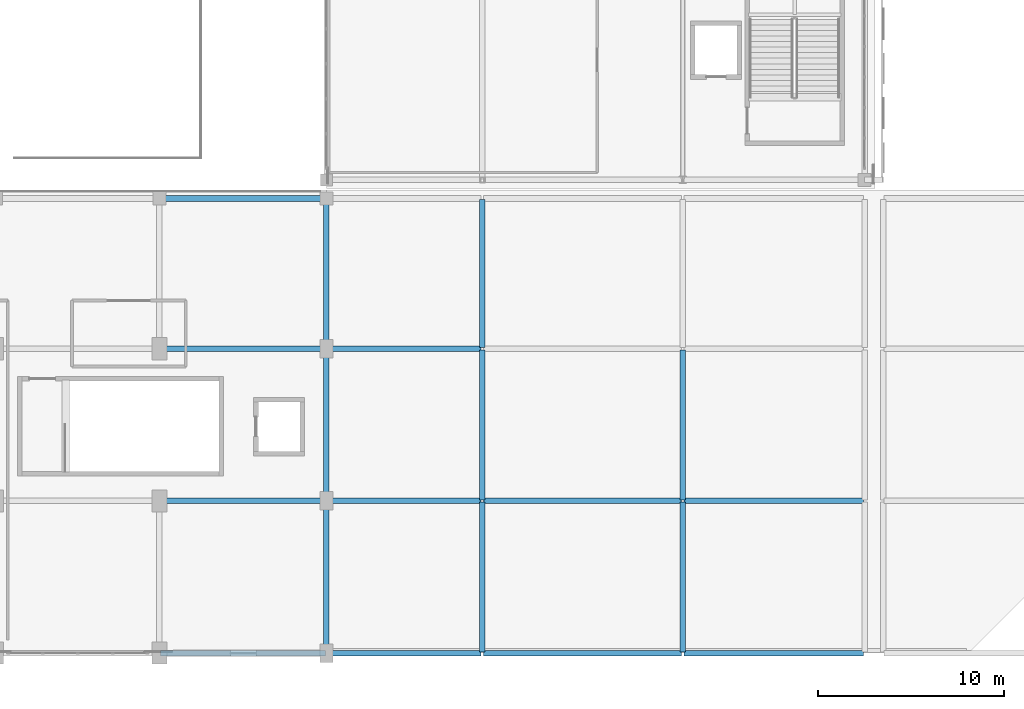
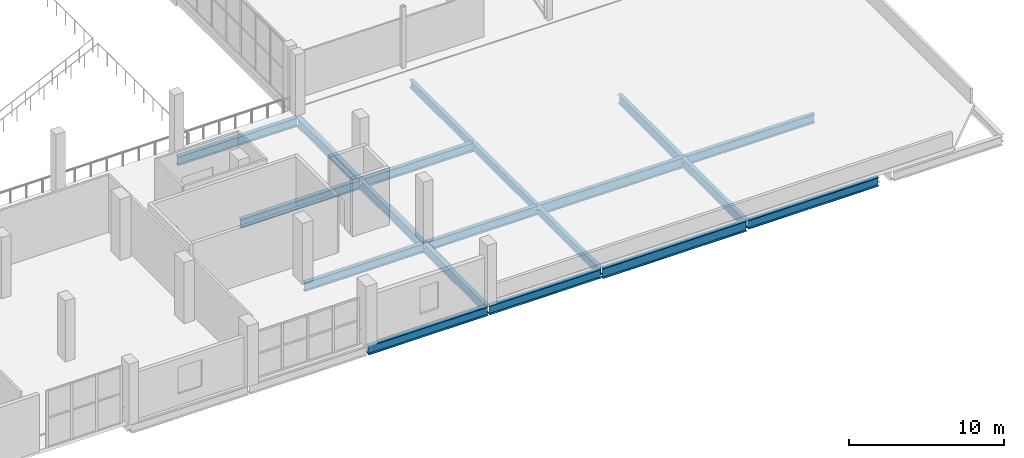
# One storey, part 33 of 104: 19 beams.
"""IFC4 building model written with IfcOpenShell, lengths in metres."""

from ifc_helpers import new_model, si_unit, direction, frame, origin, origin_2d, place, context, subcontext, project, spatial, i_section, extrude, material, material_profile, profile_set, type_object, element, save


model = new_model("IFC4")

# Units and contexts
model_context = context("Model", 3, precision=1e-05, world=origin(), true_north=direction((0.0, 1.0)))
body_context = subcontext(model_context, "Body", "Model", "MODEL_VIEW")
ifc_project = project(units=[si_unit("LENGTHUNIT", "METRE"), si_unit("AREAUNIT", "SQUARE_METRE"), si_unit("VOLUMEUNIT", "CUBIC_METRE"), si_unit("PLANEANGLEUNIT", "RADIAN"), si_unit("MASSUNIT", "GRAM", prefix="KILO")], contexts=[model_context])

# Site, building, storey
site_placement = place(None, origin())
site = spatial("IfcSite", under=ifc_project, at=site_placement, CompositionType="ELEMENT")
building_placement = place(site_placement, origin())
building = spatial("IfcBuilding", under=site, at=building_placement, Name="Koshinbarg Plaza Stadium", CompositionType="ELEMENT")
storey_placement = place(building_placement, frame((0.0, 0.0, 19.800048828125)))
storey = spatial("IfcBuildingStorey", under=building, at=storey_placement, Name="L04", CompositionType="ELEMENT", Elevation=19.800048828125)

# Beams
ifc_material = material(Name="Steel S355", Category="steel")
ifc_material_profile_1 = material_profile(ifc_material, i_section(OverallWidth=0.300048828125, OverallDepth=0.60009765625, WebThickness=0.015380859375, FlangeThickness=0.030029296875, at=origin_2d()), Name="HEB 600")
ifc_profile_set_1 = profile_set([ifc_material_profile_1], Name="Steel S355")
beam_type_1 = type_object("IfcBeamType", Name="BM-SGIR-02", PredefinedType="USERDEFINED", material=ifc_profile_set_1)
beam_1_placement = place(storey_placement, frame((197.800048828125, 0.06005859375, -0.60009765625), z_axis=(0.0, 1.0, 0.0), x_axis=(-1.0, 0.0, 0.0)))
element("IfcBeam", 1, at=beam_1_placement, inside=storey, type_object=beam_type_1, Name="L04 Y girder 19/A-B", ObjectType="GIRDER", PredefinedType="USERDEFINED", context=body_context, shape_type="SweptSolid", body=[
    extrude(i_section(OverallWidth=0.300048828125, OverallDepth=0.60009765625, WebThickness=0.015380859375, FlangeThickness=0.030029296875, at=origin_2d()), origin(), (0.0, 0.0, 1.0), 8.079833984375),
])
beam_2_placement = place(storey_placement, frame((197.800048828125, 8.260009765625, -0.60009765625), z_axis=(0.0, 1.0, 0.0), x_axis=(-1.0, 0.0, 0.0)))
element("IfcBeam", 2, at=beam_2_placement, inside=storey, type_object=beam_type_1, Name="L04 Y girder 19/B-C", ObjectType="GIRDER", PredefinedType="USERDEFINED", context=body_context, shape_type="SweptSolid", body=[
    extrude(i_section(OverallWidth=0.300048828125, OverallDepth=0.60009765625, WebThickness=0.015380859375, FlangeThickness=0.030029296875, at=origin_2d()), origin(), (0.0, 0.0, 1.0), 8.080078125),
])
beam_3_placement = place(storey_placement, frame((197.800048828125, 16.4599609375, -0.60009765625), z_axis=(0.0, 1.0, 0.0), x_axis=(-1.0, 0.0, 0.0)))
element("IfcBeam", 3, at=beam_3_placement, inside=storey, type_object=beam_type_1, Name="L04 Y girder 19/C-D", ObjectType="GIRDER", PredefinedType="USERDEFINED", context=body_context, shape_type="SweptSolid", body=[
    extrude(i_section(OverallWidth=0.300048828125, OverallDepth=0.60009765625, WebThickness=0.015380859375, FlangeThickness=0.030029296875, at=origin_2d()), origin(), (0.0, 0.0, 1.0), 7.97998046875),
])
ifc_material_profile_2 = material_profile(ifc_material, i_section(OverallWidth=0.300048828125, OverallDepth=0.699951171875, WebThickness=0.01708984375, FlangeThickness=0.031982421875, at=origin_2d()), Name="HEB 700")
ifc_profile_set_2 = profile_set([ifc_material_profile_2], Name="Steel S355")
beam_type_2 = type_object("IfcBeamType", Name="BM-SGIR-03", PredefinedType="USERDEFINED", material=ifc_profile_set_2)
beam_4_placement = place(storey_placement, frame((180.4599609375, 0.0, -0.650146484375), z_axis=(1.0, 0.0, 0.0), x_axis=(0.0, 1.0, 0.0)))
element("IfcBeam", 4, at=beam_4_placement, inside=storey, type_object=beam_type_2, Name="L04 X girder A/17-18", ObjectType="GIRDER", PredefinedType="USERDEFINED", context=body_context, shape_type="SweptSolid", body=[
    extrude(i_section(OverallWidth=0.300048828125, OverallDepth=0.699951171875, WebThickness=0.01708984375, FlangeThickness=0.031982421875, at=origin_2d()), origin(), (0.0, 0.0, 1.0), 8.880126953125),
])
beam_5_placement = place(storey_placement, frame((189.4599609375, 0.0, -0.650146484375), z_axis=(1.0, 0.0, 0.0), x_axis=(0.0, 1.0, 0.0)))
element("IfcBeam", 5, at=beam_5_placement, inside=storey, type_object=beam_type_2, Name="L04 X girder A/18-19", ObjectType="GIRDER", PredefinedType="USERDEFINED", context=body_context, shape_type="SweptSolid", body=[
    extrude(i_section(OverallWidth=0.300048828125, OverallDepth=0.699951171875, WebThickness=0.01708984375, FlangeThickness=0.031982421875, at=origin_2d()), origin(), (0.0, 0.0, 1.0), 8.280029296875),
])
beam_6_placement = place(storey_placement, frame((208.659912109375, 0.0, -0.650146484375), z_axis=(1.0, 0.0, 0.0), x_axis=(0.0, 1.0, 0.0)))
element("IfcBeam", 6, at=beam_6_placement, inside=storey, type_object=beam_type_2, Name="L04 X girder A/20-21", ObjectType="GIRDER", PredefinedType="USERDEFINED", context=body_context, shape_type="SweptSolid", body=[
    extrude(i_section(OverallWidth=0.300048828125, OverallDepth=0.699951171875, WebThickness=0.01708984375, FlangeThickness=0.031982421875, at=origin_2d()), origin(), (0.0, 0.0, 1.0), 9.68017578125),
])
beam_7_placement = place(storey_placement, frame((180.4599609375, 8.199951171875, -0.650146484375), z_axis=(1.0, 0.0, 0.0), x_axis=(0.0, 1.0, 0.0)))
element("IfcBeam", 7, at=beam_7_placement, inside=storey, type_object=beam_type_2, Name="L04 X girder B/17-18", ObjectType="GIRDER", PredefinedType="USERDEFINED", context=body_context, shape_type="SweptSolid", body=[
    extrude(i_section(OverallWidth=0.300048828125, OverallDepth=0.699951171875, WebThickness=0.01708984375, FlangeThickness=0.031982421875, at=origin_2d()), origin(), (0.0, 0.0, 1.0), 8.880126953125),
])
beam_8_placement = place(storey_placement, frame((189.4599609375, 8.199951171875, -0.650146484375), z_axis=(1.0, 0.0, 0.0), x_axis=(0.0, 1.0, 0.0)))
element("IfcBeam", 8, at=beam_8_placement, inside=storey, type_object=beam_type_2, Name="L04 X girder B/18-19", ObjectType="GIRDER", PredefinedType="USERDEFINED", context=body_context, shape_type="SweptSolid", body=[
    extrude(i_section(OverallWidth=0.300048828125, OverallDepth=0.699951171875, WebThickness=0.01708984375, FlangeThickness=0.031982421875, at=origin_2d()), origin(), (0.0, 0.0, 1.0), 8.280029296875),
])
beam_9_placement = place(storey_placement, frame((208.659912109375, 8.199951171875, -0.650146484375), z_axis=(1.0, 0.0, 0.0), x_axis=(0.0, 1.0, 0.0)))
element("IfcBeam", 9, at=beam_9_placement, inside=storey, type_object=beam_type_2, Name="L04 X girder B/20-21", ObjectType="GIRDER", PredefinedType="USERDEFINED", context=body_context, shape_type="SweptSolid", body=[
    extrude(i_section(OverallWidth=0.300048828125, OverallDepth=0.699951171875, WebThickness=0.01708984375, FlangeThickness=0.031982421875, at=origin_2d()), origin(), (0.0, 0.0, 1.0), 9.68017578125),
])
beam_10_placement = place(storey_placement, frame((180.4599609375, 16.39990234375, -0.650146484375), z_axis=(1.0, 0.0, 0.0), x_axis=(0.0, 1.0, 0.0)))
element("IfcBeam", 10, at=beam_10_placement, inside=storey, type_object=beam_type_2, Name="L04 X girder C/17-18", ObjectType="GIRDER", PredefinedType="USERDEFINED", context=body_context, shape_type="SweptSolid", body=[
    extrude(i_section(OverallWidth=0.300048828125, OverallDepth=0.699951171875, WebThickness=0.01708984375, FlangeThickness=0.031982421875, at=origin_2d()), origin(), (0.0, 0.0, 1.0), 8.880126953125),
])
beam_11_placement = place(storey_placement, frame((189.4599609375, 16.39990234375, -0.650146484375), z_axis=(1.0, 0.0, 0.0), x_axis=(0.0, 1.0, 0.0)))
element("IfcBeam", 11, at=beam_11_placement, inside=storey, type_object=beam_type_2, Name="L04 X girder C/18-19", ObjectType="GIRDER", PredefinedType="USERDEFINED", context=body_context, shape_type="SweptSolid", body=[
    extrude(i_section(OverallWidth=0.300048828125, OverallDepth=0.699951171875, WebThickness=0.01708984375, FlangeThickness=0.031982421875, at=origin_2d()), origin(), (0.0, 0.0, 1.0), 8.280029296875),
])
beam_12_placement = place(storey_placement, frame((180.4599609375, 24.5, -0.650146484375), z_axis=(1.0, 0.0, 0.0), x_axis=(0.0, 1.0, 0.0)))
element("IfcBeam", 12, at=beam_12_placement, inside=storey, type_object=beam_type_2, Name="L04 X girder D/17-18", ObjectType="GIRDER", PredefinedType="USERDEFINED", context=body_context, shape_type="SweptSolid", body=[
    extrude(i_section(OverallWidth=0.300048828125, OverallDepth=0.699951171875, WebThickness=0.01708984375, FlangeThickness=0.031982421875, at=origin_2d()), origin(), (0.0, 0.0, 1.0), 8.880126953125),
])
beam_13_placement = place(storey_placement, frame((189.39990234375, 0.06005859375, -0.650146484375), z_axis=(0.0, 1.0, 0.0), x_axis=(-1.0, 0.0, 0.0)))
element("IfcBeam", 13, at=beam_13_placement, inside=storey, type_object=beam_type_2, Name="L04 Y girder 18/A-B", ObjectType="GIRDER", PredefinedType="USERDEFINED", context=body_context, shape_type="SweptSolid", body=[
    extrude(i_section(OverallWidth=0.300048828125, OverallDepth=0.699951171875, WebThickness=0.01708984375, FlangeThickness=0.031982421875, at=origin_2d()), origin(), (0.0, 0.0, 1.0), 8.079833984375),
])
beam_14_placement = place(storey_placement, frame((189.39990234375, 8.260009765625, -0.650146484375), z_axis=(0.0, 1.0, 0.0), x_axis=(-1.0, 0.0, 0.0)))
element("IfcBeam", 14, at=beam_14_placement, inside=storey, type_object=beam_type_2, Name="L04 Y girder 18/B-C", ObjectType="GIRDER", PredefinedType="USERDEFINED", context=body_context, shape_type="SweptSolid", body=[
    extrude(i_section(OverallWidth=0.300048828125, OverallDepth=0.699951171875, WebThickness=0.01708984375, FlangeThickness=0.031982421875, at=origin_2d()), origin(), (0.0, 0.0, 1.0), 8.080078125),
])
beam_15_placement = place(storey_placement, frame((189.39990234375, 16.4599609375, -0.650146484375), z_axis=(0.0, 1.0, 0.0), x_axis=(-1.0, 0.0, 0.0)))
element("IfcBeam", 15, at=beam_15_placement, inside=storey, type_object=beam_type_2, Name="L04 Y girder 18/C-D", ObjectType="GIRDER", PredefinedType="USERDEFINED", context=body_context, shape_type="SweptSolid", body=[
    extrude(i_section(OverallWidth=0.300048828125, OverallDepth=0.699951171875, WebThickness=0.01708984375, FlangeThickness=0.031982421875, at=origin_2d()), origin(), (0.0, 0.0, 1.0), 7.97998046875),
])
beam_16_placement = place(storey_placement, frame((208.60009765625, 0.06005859375, -0.650146484375), z_axis=(0.0, 1.0, 0.0), x_axis=(-1.0, 0.0, 0.0)))
element("IfcBeam", 16, at=beam_16_placement, inside=storey, type_object=beam_type_2, Name="L04 Y girder 20/A-B", ObjectType="GIRDER", PredefinedType="USERDEFINED", context=body_context, shape_type="SweptSolid", body=[
    extrude(i_section(OverallWidth=0.300048828125, OverallDepth=0.699951171875, WebThickness=0.01708984375, FlangeThickness=0.031982421875, at=origin_2d()), origin(), (0.0, 0.0, 1.0), 8.079833984375),
])
beam_17_placement = place(storey_placement, frame((208.60009765625, 8.260009765625, -0.650146484375), z_axis=(0.0, 1.0, 0.0), x_axis=(-1.0, 0.0, 0.0)))
element("IfcBeam", 17, at=beam_17_placement, inside=storey, type_object=beam_type_2, Name="L04 Y girder 20/B-C", ObjectType="GIRDER", PredefinedType="USERDEFINED", context=body_context, shape_type="SweptSolid", body=[
    extrude(i_section(OverallWidth=0.300048828125, OverallDepth=0.699951171875, WebThickness=0.01708984375, FlangeThickness=0.031982421875, at=origin_2d()), origin(), (0.0, 0.0, 1.0), 8.080078125),
])
ifc_material_profile_3 = material_profile(ifc_material, i_section(OverallWidth=0.300048828125, OverallDepth=0.800048828125, WebThickness=0.017578125, FlangeThickness=0.032958984375, at=origin_2d()), Name="HEB 800")
ifc_profile_set_3 = profile_set([ifc_material_profile_3], Name="Steel S355")
beam_type_3 = type_object("IfcBeamType", Name="BM-SGIR-04", PredefinedType="USERDEFINED", material=ifc_profile_set_3)
for number, where, z_axis, x_axis, name in (
    (18, (197.860107421875, 0.0, -0.699951171875), (1.0, 0.0, 0.0), (0.0, 1.0, 0.0), "L04 X girder A/19-20"),
    (19, (197.860107421875, 8.199951171875, -0.699951171875), (1.0, 0.0, 0.0), (0.0, 1.0, 0.0), "L04 X girder B/19-20"),
):
    element("IfcBeam", number, at=place(storey_placement, frame(where, z_axis=z_axis, x_axis=x_axis)), inside=storey, type_object=beam_type_3, Name=name, ObjectType="GIRDER", PredefinedType="USERDEFINED", context=body_context, shape_type="SweptSolid", body=[
        extrude(i_section(OverallWidth=0.300048828125, OverallDepth=0.800048828125, WebThickness=0.017578125, FlangeThickness=0.032958984375, at=origin_2d()), origin(), (0.0, 0.0, 1.0), 10.679931640625),
    ])

save(model, "model.ifc")
